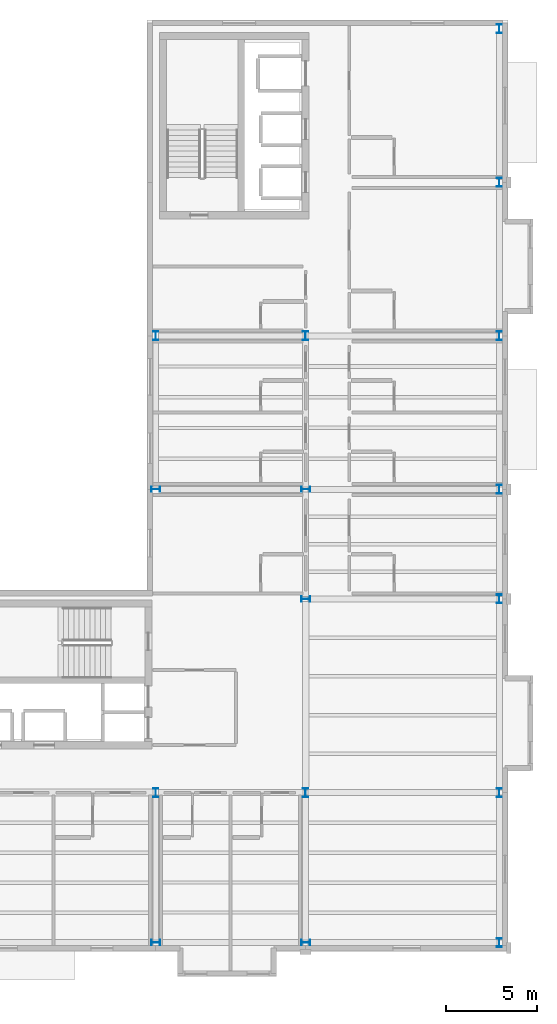
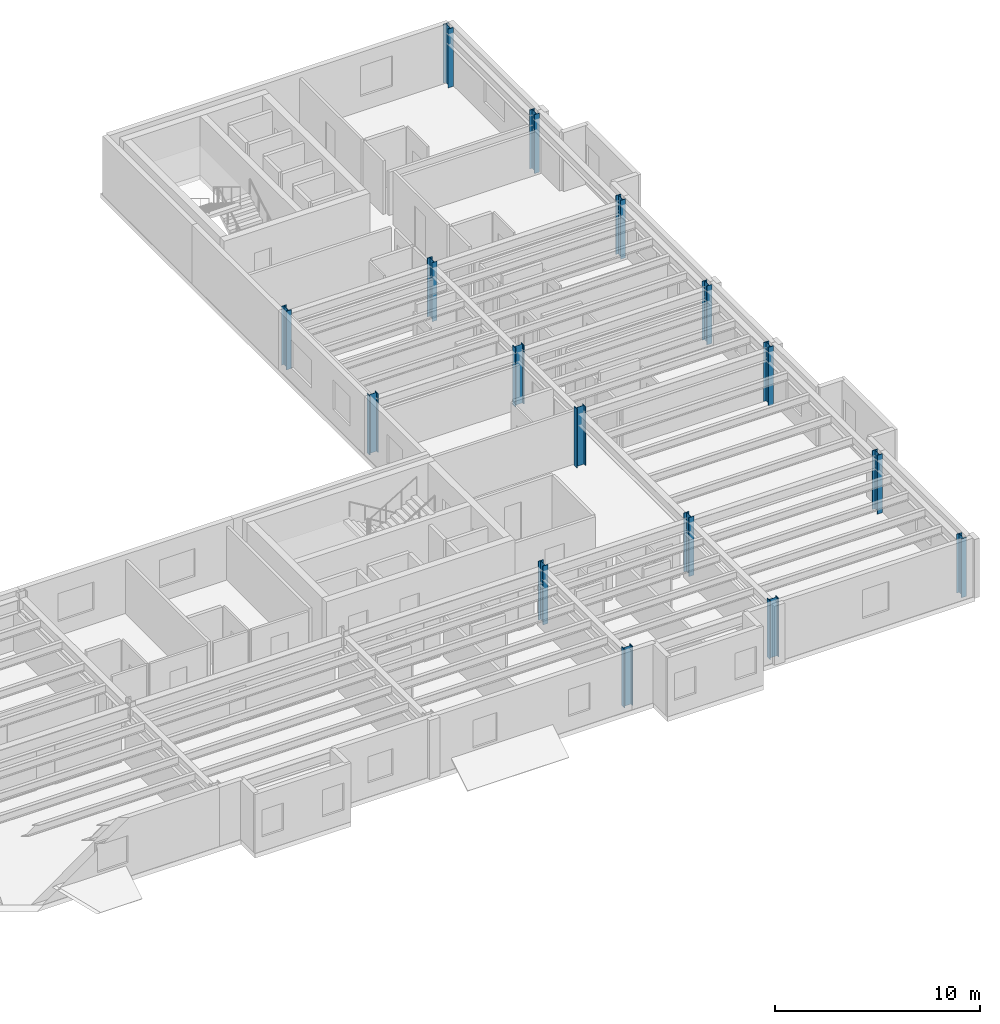
# One storey, part 2 of 17: 16 columns.
"""IFC4 building model written with IfcOpenShell, lengths in metres."""

from ifc_helpers import new_model, si_unit, direction, frame, origin, origin_2d, place, context, subcontext, project, spatial, i_section, extrude, material, material_profile, profile_set, type_object, element, save


model = new_model("IFC4")

# Units and contexts
model_context = context("Model", 3, precision=1e-05, world=origin(), true_north=direction((0.0, 1.0)))
body_context = subcontext(model_context, "Body", "Model", "MODEL_VIEW")
ifc_project = project(units=[si_unit("LENGTHUNIT", "METRE"), si_unit("AREAUNIT", "SQUARE_METRE"), si_unit("VOLUMEUNIT", "CUBIC_METRE"), si_unit("PLANEANGLEUNIT", "RADIAN"), si_unit("MASSUNIT", "GRAM", prefix="KILO")], contexts=[model_context])

# Site, building, storey
site_placement = place(None, origin())
site = spatial("IfcSite", under=ifc_project, at=site_placement, CompositionType="ELEMENT")
building_placement = place(site_placement, origin())
building = spatial("IfcBuilding", under=site, at=building_placement, Name="Sollismere Congress Hotel", CompositionType="ELEMENT")
storey_placement = place(building_placement, frame((0.0, 0.0, 41.10009765625)))
storey = spatial("IfcBuildingStorey", under=building, at=storey_placement, Name="L10", CompositionType="ELEMENT", Elevation=41.10009765625)

# Columns
ifc_material = material(Name="Steel ASTM A992 Grade 50", Category="steel")
ifc_material_profile = material_profile(ifc_material, i_section(OverallWidth=0.283935546875, OverallDepth=0.4951171875, WebThickness=0.0185546875, FlangeThickness=0.033447265625, at=origin_2d()), Name="W18X143")
ifc_profile_set = profile_set([ifc_material_profile], Name="Steel ASTM A992 Grade 50")
column_type = type_object("IfcColumnType", Name="COL-W18", PredefinedType="COLUMN", material=ifc_profile_set)
for number, where, z_axis, x_axis, name in (
    (1, (147.199951171875, 0.0, 0.0), (0.0, 0.0, 1.0), (0.0, 1.0, 0.0), "Column CL-L10-791"),
    (2, (147.199951171875, 8.199951171875, 0.0), (0.0, 0.0, 1.0), (1.0, 0.0, 0.0), "Column CL-L10-804"),
    (3, (147.199951171875, 24.800048828125, 0.0), (0.0, 0.0, 1.0), (0.0, 1.0, 0.0), "Column CL-L10-817"),
    (4, (147.199951171875, 33.199951171875, 0.0), (0.0, 0.0, 1.0), (1.0, 0.0, 0.0), "Column CL-L10-830"),
    (5, (155.39990234375, 0.0, 0.0), (0.0, 0.0, 1.0), (0.0, 1.0, 0.0), "Column CL-L10-866"),
    (6, (155.39990234375, 8.199951171875, 0.0), (0.0, 0.0, 1.0), (1.0, 0.0, 0.0), "Column CL-L10-879"),
    (7, (155.39990234375, 18.800048828125, 0.0), (0.0, 0.0, 1.0), (0.0, 1.0, 0.0), "Column CL-L10-892"),
    (8, (155.39990234375, 24.800048828125, 0.0), (0.0, 0.0, 1.0), (0.0, 1.0, 0.0), "Column CL-L10-905"),
    (9, (155.39990234375, 33.199951171875, 0.0), (0.0, 0.0, 1.0), (1.0, 0.0, 0.0), "Column CL-L10-918"),
    (10, (166.0, 0.0, 0.0), (0.0, 0.0, 1.0), (1.0, 0.0, 0.0), "Column CL-L10-954"),
    (11, (166.0, 8.199951171875, 0.0), (0.0, 0.0, 1.0), (1.0, 0.0, 0.0), "Column CL-L10-967"),
    (12, (166.0, 18.800048828125, 0.0), (0.0, 0.0, 1.0), (1.0, 0.0, 0.0), "Column CL-L10-980"),
    (13, (166.0, 24.800048828125, 0.0), (0.0, 0.0, 1.0), (1.0, 0.0, 0.0), "Column CL-L10-993"),
    (14, (166.0, 33.199951171875, 0.0), (0.0, 0.0, 1.0), (1.0, 0.0, 0.0), "Column CL-L10-1006"),
    (15, (166.0, 41.60009765625, 0.0), (0.0, 0.0, 1.0), (1.0, 0.0, 0.0), "Column CL-L10-1019"),
    (16, (166.0, 50.0, 0.0), (0.0, 0.0, 1.0), (1.0, 0.0, 0.0), "Column CL-L10-1032"),
):
    element("IfcColumn", number, at=place(storey_placement, frame(where, z_axis=z_axis, x_axis=x_axis)), inside=storey, type_object=column_type, Name=name, PredefinedType="COLUMN", context=body_context, shape_type="SweptSolid", body=[
        extrude(i_section(OverallWidth=0.283935546875, OverallDepth=0.4951171875, WebThickness=0.0185546875, FlangeThickness=0.033447265625, at=origin_2d()), origin(), (0.0, 0.0, 1.0), 3.5),
    ])

save(model, "model.ifc")
